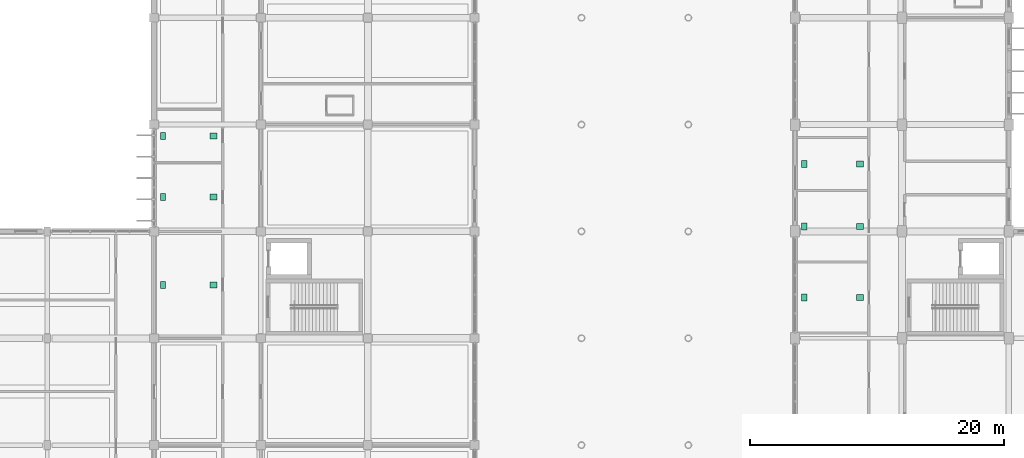
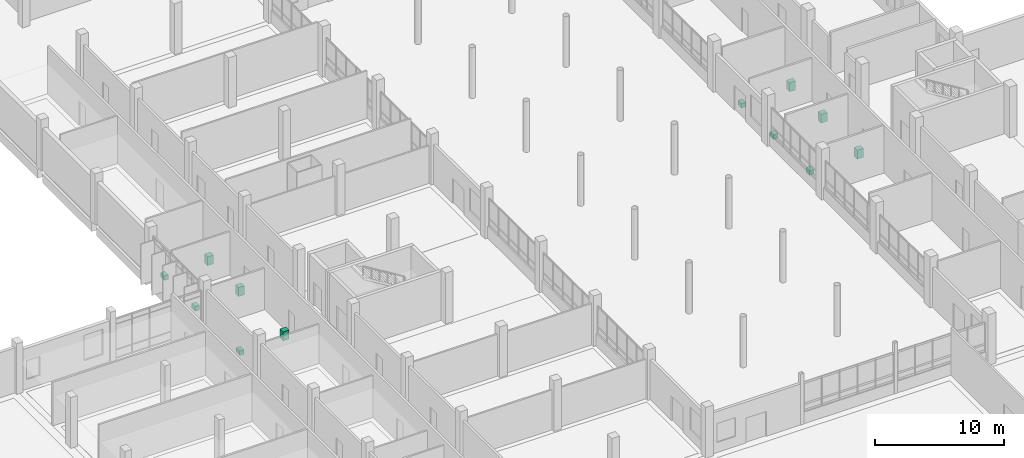
# One storey, part 95 of 95: 12 sanitary terminals.
"""IFC4 building model written with IfcOpenShell, lengths in metres."""

from ifc_helpers import new_model, si_unit, direction, frame, origin, origin_2d, place, context, subcontext, project, spatial, rectangle, extrude, material, type_object, element, save


model = new_model("IFC4")

# Units and contexts
model_context = context("Model", 3, precision=1e-05, world=origin(), true_north=direction((0.0, 1.0)))
body_context = subcontext(model_context, "Body", "Model", "MODEL_VIEW")
ifc_project = project(units=[si_unit("LENGTHUNIT", "METRE"), si_unit("AREAUNIT", "SQUARE_METRE"), si_unit("VOLUMEUNIT", "CUBIC_METRE"), si_unit("PLANEANGLEUNIT", "RADIAN"), si_unit("MASSUNIT", "GRAM", prefix="KILO")], contexts=[model_context])

# Site, building, storey
site_placement = place(None, origin())
site = spatial("IfcSite", under=ifc_project, at=site_placement, CompositionType="ELEMENT")
building_placement = place(site_placement, origin())
building = spatial("IfcBuilding", under=site, at=building_placement, Name="Vireocrest Preparatory School", CompositionType="ELEMENT")
storey_placement = place(building_placement, origin())
storey = spatial("IfcBuildingStorey", under=building, at=storey_placement, Name="L00", CompositionType="ELEMENT", Elevation=0.0)

# Sanitary terminals
ifc_material = material(Name="Vitreous china sanitaryware")
sanitary_terminal_type_1 = type_object("IfcSanitaryTerminalType", Name="Accessible Ceramic Washbasin", PredefinedType="WASHHANDBASIN", material=ifc_material)
for number, where, z_axis, x_axis, name in (
    (1, (46.68994140625, 48.0, 0.0), (0.0, 0.0, 1.0), (1.0, 0.0, 0.0), "Accessible Washbasin L00-WAW05"),
    (2, (46.68994140625, 54.89990234375, 0.0), (0.0, 0.0, 1.0), (1.0, 0.0, 0.0), "Accessible Washbasin L00-WAW06"),
    (3, (46.68994140625, 59.699951171875, 0.0), (0.0, 0.0, 1.0), (1.0, 0.0, 0.0), "Accessible Washbasin L00-WAW07"),
    (4, (97.489990234375, 47.0, 0.0), (0.0, 0.0, 1.0), (1.0, 0.0, 0.0), "Accessible Washbasin L00-ELW04"),
    (5, (97.489990234375, 52.60009765625, 0.0), (0.0, 0.0, 1.0), (1.0, 0.0, 0.0), "Accessible Washbasin L00-ELW05"),
    (6, (97.489990234375, 57.5, 0.0), (0.0, 0.0, 1.0), (1.0, 0.0, 0.0), "Accessible Washbasin L00-ELW06"),
):
    element("IfcSanitaryTerminal", number, at=place(storey_placement, frame(where, z_axis=z_axis, x_axis=x_axis)), inside=storey, type_object=sanitary_terminal_type_1, Name=name, PredefinedType="WASHHANDBASIN", context=body_context, shape_type="SweptSolid", body=[
        extrude(rectangle(XDim=0.550048828125, YDim=0.47998046875, at=origin_2d()), origin(), (0.0, 0.0, 1.0), 0.840087890625),
    ])
sanitary_terminal_type_2 = type_object("IfcSanitaryTerminalType", Name="Wall-Hung Vitreous China WC Pan", PredefinedType="TOILETPAN", material=ifc_material)
for number, where, z_axis, x_axis, name in (
    (7, (42.7099609375, 48.0, 0.0), (0.0, 0.0, 1.0), (1.0, 0.0, 0.0), "WC Pan L00-WAW05"),
    (8, (42.7099609375, 54.89990234375, 0.0), (0.0, 0.0, 1.0), (1.0, 0.0, 0.0), "WC Pan L00-WAW06"),
    (9, (42.7099609375, 59.699951171875, 0.0), (0.0, 0.0, 1.0), (1.0, 0.0, 0.0), "WC Pan L00-WAW07"),
    (10, (93.110107421875, 47.0, 0.0), (0.0, 0.0, 1.0), (1.0, 0.0, 0.0), "WC Pan L00-ELW04"),
    (11, (93.110107421875, 52.60009765625, 0.0), (0.0, 0.0, 1.0), (1.0, 0.0, 0.0), "WC Pan L00-ELW05"),
    (12, (93.110107421875, 57.5, 0.0), (0.0, 0.0, 1.0), (1.0, 0.0, 0.0), "WC Pan L00-ELW06"),
):
    element("IfcSanitaryTerminal", number, at=place(storey_placement, frame(where, z_axis=z_axis, x_axis=x_axis)), inside=storey, type_object=sanitary_terminal_type_2, Name=name, PredefinedType="TOILETPAN", context=body_context, shape_type="SweptSolid", body=[
        extrude(rectangle(XDim=0.39990234375, YDim=0.56005859375, at=origin_2d()), origin(), (0.0, 0.0, 1.0), 0.419921875),
    ])

save(model, "model.ifc")
